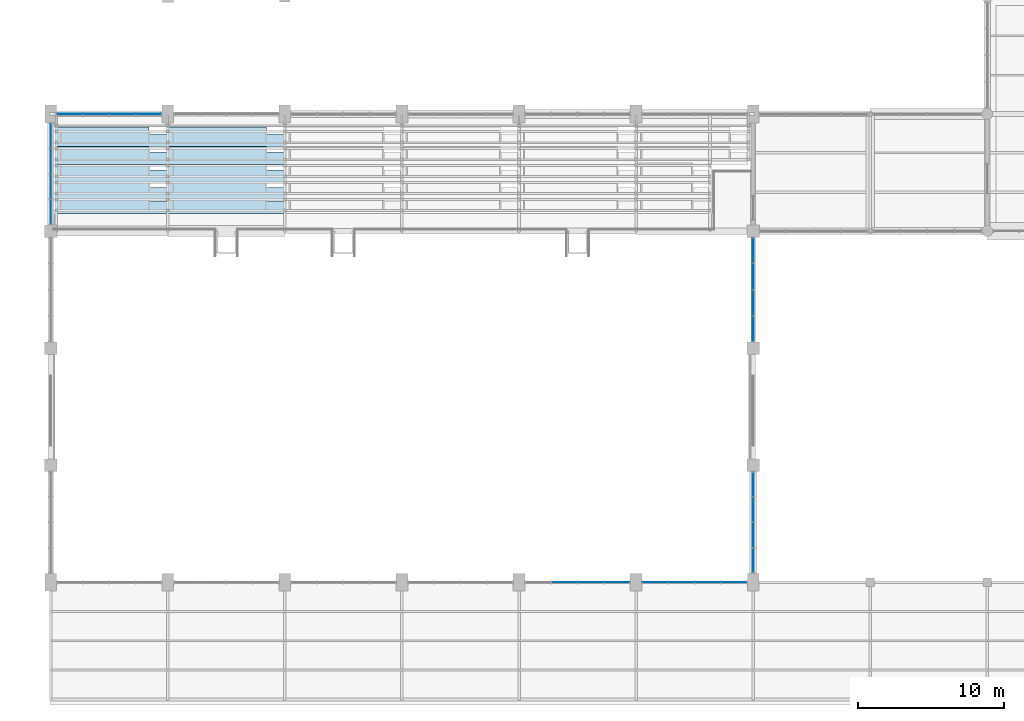
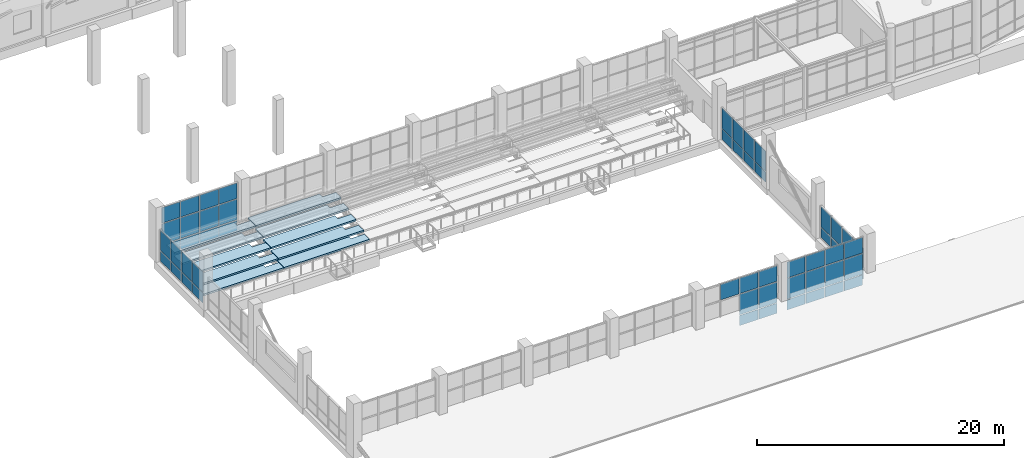
# One storey, part 71 of 122: 55 plates, 10 slabs, 6 elements without a shape of their own.
"""IFC4 building model written with IfcOpenShell, lengths in metres."""

from ifc_helpers import new_model, si_unit, direction, frame, origin, origin_2d, place, context, subcontext, project, spatial, polyline, rectangle, outline, extrude, material, layer, layer_set, type_object, element, aggregate, save


model = new_model("IFC4")

# Units and contexts
model_context = context("Model", 3, precision=1e-05, world=origin(), true_north=direction((0.0, 1.0)))
body_context = subcontext(model_context, "Body", "Model", "MODEL_VIEW")
ifc_project = project(units=[si_unit("LENGTHUNIT", "METRE"), si_unit("AREAUNIT", "SQUARE_METRE"), si_unit("VOLUMEUNIT", "CUBIC_METRE"), si_unit("PLANEANGLEUNIT", "RADIAN"), si_unit("MASSUNIT", "GRAM", prefix="KILO")], contexts=[model_context])

# Site, building, storey
site_placement = place(None, origin())
site = spatial("IfcSite", under=ifc_project, at=site_placement, CompositionType="ELEMENT")
building_placement = place(site_placement, origin())
building = spatial("IfcBuilding", under=site, at=building_placement, Name="Tenunan Teduh Sports Hall", CompositionType="ELEMENT")
storey_placement = place(building_placement, frame((0.0, 0.0, 5.39990234375)))
storey = spatial("IfcBuildingStorey", under=building, at=storey_placement, Name="L01", CompositionType="ELEMENT", Elevation=5.39990234375)

# Curtain wall, plates
ifc_material_1 = material(Name="Anodised aluminium", Category="aluminium")
curtain_wall_type = type_object("IfcCurtainWallType", Name="CW-UNIT-1", PredefinedType="NOTDEFINED", material=ifc_material_1)
curtain_wall_1_placement = place(storey_placement, origin())
curtain_wall_1 = element("IfcCurtainWall", 1, at=curtain_wall_1_placement, inside=storey, type_object=curtain_wall_type, Name="CW-CWM-200-L01-048", PredefinedType="NOTDEFINED")
ifc_material_2 = material(Name="Low-E laminated double glazing", Category="glass")
ifc_layer_1 = layer(ifc_material_2, 0.028076171875)
ifc_layer_set_1 = layer_set([ifc_layer_1], Name="Low-E laminated double glazing")
plate_type_1 = type_object("IfcPlateType", Name="CWP-GLZ-28", PredefinedType="CURTAIN_PANEL", material=ifc_layer_set_1)
plate_1_placement = place(storey_placement, frame((41.10009765625, 14.0, 3.235107421875), z_axis=(0.0, 0.0, 1.0), x_axis=(1.0, 0.0, 0.0)))
plate_1 = element("IfcPlate", 2, at=plate_1_placement, type_object=plate_type_1, Name="CW-01 panel 2.3", PredefinedType="CURTAIN_PANEL", context=body_context, shape_type="SweptSolid", body=[
    extrude(rectangle(XDim=1.72998046875, YDim=0.028076171875, at=origin_2d()), origin(), (0.0, 0.0, 1.0), 1.544921875),
])
plate_2_placement = place(storey_placement, frame((42.89990234375, 14.0, 1.13525390625), z_axis=(0.0, 0.0, 1.0), x_axis=(1.0, 0.0, 0.0)))
plate_2 = element("IfcPlate", 3, at=plate_2_placement, type_object=plate_type_1, Name="CW-01 panel 3.2", PredefinedType="CURTAIN_PANEL", context=body_context, shape_type="SweptSolid", body=[
    extrude(rectangle(XDim=1.72998046875, YDim=0.028076171875, at=origin_2d()), origin(), (0.0, 0.0, 1.0), 2.030029296875),
])
plate_3_placement = place(storey_placement, frame((42.89990234375, 14.0, 3.235107421875), z_axis=(0.0, 0.0, 1.0), x_axis=(1.0, 0.0, 0.0)))
plate_3 = element("IfcPlate", 4, at=plate_3_placement, type_object=plate_type_1, Name="CW-01 panel 3.3", PredefinedType="CURTAIN_PANEL", context=body_context, shape_type="SweptSolid", body=[
    extrude(rectangle(XDim=1.72998046875, YDim=0.028076171875, at=origin_2d()), origin(), (0.0, 0.0, 1.0), 1.544921875),
])
plate_4_placement = place(storey_placement, frame((44.6826171875, 14.0, 1.13525390625), z_axis=(0.0, 0.0, 1.0), x_axis=(1.0, 0.0, 0.0)))
plate_4 = element("IfcPlate", 5, at=plate_4_placement, type_object=plate_type_1, Name="CW-01 panel 4.2", PredefinedType="CURTAIN_PANEL", context=body_context, shape_type="SweptSolid", body=[
    extrude(rectangle(XDim=1.695068359375, YDim=0.028076171875, at=origin_2d()), origin(), (0.0, 0.0, 1.0), 2.030029296875),
])
plate_5_placement = place(storey_placement, frame((44.6826171875, 14.0, 3.235107421875), z_axis=(0.0, 0.0, 1.0), x_axis=(1.0, 0.0, 0.0)))
plate_5 = element("IfcPlate", 6, at=plate_5_placement, type_object=plate_type_1, Name="CW-01 panel 4.3", PredefinedType="CURTAIN_PANEL", context=body_context, shape_type="SweptSolid", body=[
    extrude(rectangle(XDim=1.695068359375, YDim=0.028076171875, at=origin_2d()), origin(), (0.0, 0.0, 1.0), 1.544921875),
])

curtain_wall_2_placement = place(storey_placement, origin())
curtain_wall_2 = element("IfcCurtainWall", 7, at=curtain_wall_2_placement, inside=storey, type_object=curtain_wall_type, Name="CW-CWM-175-L01-050", PredefinedType="NOTDEFINED")
plate_6_placement = place(storey_placement, frame((47.316162109375, 14.0, 1.1328125), z_axis=(0.0, 0.0, 1.0), x_axis=(1.0, 0.0, 0.0)))
plate_6 = element("IfcPlate", 8, at=plate_6_placement, type_object=plate_type_1, Name="CW-01 panel 1.2", PredefinedType="CURTAIN_PANEL", context=body_context, shape_type="SweptSolid", body=[
    extrude(rectangle(XDim=1.702392578125, YDim=0.028076171875, at=origin_2d()), origin(), (0.0, 0.0, 1.0), 2.034912109375),
])
plate_7_placement = place(storey_placement, frame((47.316162109375, 14.0, 3.232421875), z_axis=(0.0, 0.0, 1.0), x_axis=(1.0, 0.0, 0.0)))
plate_7 = element("IfcPlate", 9, at=plate_7_placement, type_object=plate_type_1, Name="CW-01 panel 1.3", PredefinedType="CURTAIN_PANEL", context=body_context, shape_type="SweptSolid", body=[
    extrude(rectangle(XDim=1.702392578125, YDim=0.028076171875, at=origin_2d()), origin(), (0.0, 0.0, 1.0), 1.552490234375),
])
plate_8_placement = place(storey_placement, frame((49.10009765625, 14.0, 1.1328125), z_axis=(0.0, 0.0, 1.0), x_axis=(1.0, 0.0, 0.0)))
plate_8 = element("IfcPlate", 10, at=plate_8_placement, type_object=plate_type_1, Name="CW-01 panel 2.2", PredefinedType="CURTAIN_PANEL", context=body_context, shape_type="SweptSolid", body=[
    extrude(rectangle(XDim=1.735107421875, YDim=0.028076171875, at=origin_2d()), origin(), (0.0, 0.0, 1.0), 2.034912109375),
])
plate_9_placement = place(storey_placement, frame((49.10009765625, 14.0, 3.232421875), z_axis=(0.0, 0.0, 1.0), x_axis=(1.0, 0.0, 0.0)))
plate_9 = element("IfcPlate", 11, at=plate_9_placement, type_object=plate_type_1, Name="CW-01 panel 2.3", PredefinedType="CURTAIN_PANEL", context=body_context, shape_type="SweptSolid", body=[
    extrude(rectangle(XDim=1.735107421875, YDim=0.028076171875, at=origin_2d()), origin(), (0.0, 0.0, 1.0), 1.552490234375),
])
plate_10_placement = place(storey_placement, frame((50.89990234375, 14.0, 1.1328125), z_axis=(0.0, 0.0, 1.0), x_axis=(1.0, 0.0, 0.0)))
plate_10 = element("IfcPlate", 12, at=plate_10_placement, type_object=plate_type_1, Name="CW-01 panel 3.2", PredefinedType="CURTAIN_PANEL", context=body_context, shape_type="SweptSolid", body=[
    extrude(rectangle(XDim=1.735107421875, YDim=0.028076171875, at=origin_2d()), origin(), (0.0, 0.0, 1.0), 2.034912109375),
])
plate_11_placement = place(storey_placement, frame((50.89990234375, 14.0, 3.232421875), z_axis=(0.0, 0.0, 1.0), x_axis=(1.0, 0.0, 0.0)))
plate_11 = element("IfcPlate", 13, at=plate_11_placement, type_object=plate_type_1, Name="CW-01 panel 3.3", PredefinedType="CURTAIN_PANEL", context=body_context, shape_type="SweptSolid", body=[
    extrude(rectangle(XDim=1.735107421875, YDim=0.028076171875, at=origin_2d()), origin(), (0.0, 0.0, 1.0), 1.552490234375),
])
plate_12_placement = place(storey_placement, frame((52.683837890625, 14.0, 1.1328125), z_axis=(0.0, 0.0, 1.0), x_axis=(1.0, 0.0, 0.0)))
plate_12 = element("IfcPlate", 14, at=plate_12_placement, type_object=plate_type_1, Name="CW-01 panel 4.2", PredefinedType="CURTAIN_PANEL", context=body_context, shape_type="SweptSolid", body=[
    extrude(rectangle(XDim=1.702392578125, YDim=0.028076171875, at=origin_2d()), origin(), (0.0, 0.0, 1.0), 2.034912109375),
])
plate_13_placement = place(storey_placement, frame((52.683837890625, 14.0, 3.232421875), z_axis=(0.0, 0.0, 1.0), x_axis=(1.0, 0.0, 0.0)))
plate_13 = element("IfcPlate", 15, at=plate_13_placement, type_object=plate_type_1, Name="CW-01 panel 4.3", PredefinedType="CURTAIN_PANEL", context=body_context, shape_type="SweptSolid", body=[
    extrude(rectangle(XDim=1.702392578125, YDim=0.028076171875, at=origin_2d()), origin(), (0.0, 0.0, 1.0), 1.552490234375),
])

curtain_wall_3_placement = place(storey_placement, origin())
curtain_wall_3 = element("IfcCurtainWall", 16, at=curtain_wall_3_placement, inside=storey, type_object=curtain_wall_type, Name="CW-CWM-200-L01-056", PredefinedType="NOTDEFINED")
plate_14_placement = place(storey_placement, frame((6.0, 39.314453125, 1.135009765625), z_axis=(0.0, 0.0, 1.0), x_axis=(0.0, 1.0, 0.0)))
plate_14 = element("IfcPlate", 17, at=plate_14_placement, type_object=plate_type_1, Name="CW-01 panel 1.2", PredefinedType="CURTAIN_PANEL", context=body_context, shape_type="SweptSolid", body=[
    extrude(rectangle(XDim=1.638671875, YDim=0.028076171875, at=origin_2d()), origin(), (0.0, 0.0, 1.0), 1.9951171875),
])
plate_15_placement = place(storey_placement, frame((6.0, 41.04052734375, 1.135009765625), z_axis=(0.0, 0.0, 1.0), x_axis=(0.0, 1.0, 0.0)))
plate_15 = element("IfcPlate", 18, at=plate_15_placement, type_object=plate_type_1, Name="CW-01 panel 2.2", PredefinedType="CURTAIN_PANEL", context=body_context, shape_type="SweptSolid", body=[
    extrude(rectangle(XDim=1.673828125, YDim=0.028076171875, at=origin_2d()), origin(), (0.0, 0.0, 1.0), 1.9951171875),
])
plate_16_placement = place(storey_placement, frame((6.0, 42.784423828125, 1.135009765625), z_axis=(0.0, 0.0, 1.0), x_axis=(0.0, 1.0, 0.0)))
plate_16 = element("IfcPlate", 19, at=plate_16_placement, type_object=plate_type_1, Name="CW-01 panel 3.2", PredefinedType="CURTAIN_PANEL", context=body_context, shape_type="SweptSolid", body=[
    extrude(rectangle(XDim=1.673828125, YDim=0.028076171875, at=origin_2d()), origin(), (0.0, 0.0, 1.0), 1.9951171875),
])
plate_17_placement = place(storey_placement, frame((6.0, 44.5107421875, 1.135009765625), z_axis=(0.0, 0.0, 1.0), x_axis=(0.0, 1.0, 0.0)))
plate_17 = element("IfcPlate", 20, at=plate_17_placement, type_object=plate_type_1, Name="CW-01 panel 4.2", PredefinedType="CURTAIN_PANEL", context=body_context, shape_type="SweptSolid", body=[
    extrude(rectangle(XDim=1.638671875, YDim=0.028076171875, at=origin_2d()), origin(), (0.0, 0.0, 1.0), 1.9951171875),
])

curtain_wall_4_placement = place(storey_placement, origin())
curtain_wall_4 = element("IfcCurtainWall", 21, at=curtain_wall_4_placement, inside=storey, type_object=curtain_wall_type, Name="CW-CWM-220-L01-041", PredefinedType="NOTDEFINED")
ifc_material_3 = material(Name="Solar-control laminated glazing", Category="glass")
ifc_layer_2 = layer(ifc_material_3, 0.031982421875)
ifc_layer_set_2 = layer_set([ifc_layer_2], Name="Solar-control laminated glazing")
plate_type_2 = type_object("IfcPlateType", Name="CWP-GLZ-32", PredefinedType="CURTAIN_PANEL", material=ifc_layer_set_2)
plate_18_placement = place(storey_placement, frame((7.31884765625, 46.0, 1.1376953125), z_axis=(0.0, 0.0, 1.0), x_axis=(1.0, 0.0, 0.0)))
plate_18 = element("IfcPlate", 22, at=plate_18_placement, type_object=plate_type_2, Name="CW-01 panel 1.2", PredefinedType="CURTAIN_PANEL", context=body_context, shape_type="SweptSolid", body=[
    extrude(rectangle(XDim=1.6875, YDim=0.031982421875, at=origin_2d()), origin(), (0.0, 0.0, 1.0), 2.02490234375),
])
plate_19_placement = place(storey_placement, frame((7.31884765625, 46.0, 3.237548828125), z_axis=(0.0, 0.0, 1.0), x_axis=(1.0, 0.0, 0.0)))
plate_19 = element("IfcPlate", 23, at=plate_19_placement, type_object=plate_type_2, Name="CW-01 panel 1.3", PredefinedType="CURTAIN_PANEL", context=body_context, shape_type="SweptSolid", body=[
    extrude(rectangle(XDim=1.6875, YDim=0.031982421875, at=origin_2d()), origin(), (0.0, 0.0, 1.0), 1.53759765625),
])
plate_20_placement = place(storey_placement, frame((9.10009765625, 46.0, 1.1376953125), z_axis=(0.0, 0.0, 1.0), x_axis=(1.0, 0.0, 0.0)))
plate_20 = element("IfcPlate", 24, at=plate_20_placement, type_object=plate_type_2, Name="CW-01 panel 2.2", PredefinedType="CURTAIN_PANEL", context=body_context, shape_type="SweptSolid", body=[
    extrude(rectangle(XDim=1.72509765625, YDim=0.031982421875, at=origin_2d()), origin(), (0.0, 0.0, 1.0), 2.02490234375),
])
plate_21_placement = place(storey_placement, frame((9.10009765625, 46.0, 3.237548828125), z_axis=(0.0, 0.0, 1.0), x_axis=(1.0, 0.0, 0.0)))
plate_21 = element("IfcPlate", 25, at=plate_21_placement, type_object=plate_type_2, Name="CW-01 panel 2.3", PredefinedType="CURTAIN_PANEL", context=body_context, shape_type="SweptSolid", body=[
    extrude(rectangle(XDim=1.72509765625, YDim=0.031982421875, at=origin_2d()), origin(), (0.0, 0.0, 1.0), 1.53759765625),
])
plate_22_placement = place(storey_placement, frame((10.89990234375, 46.0, 1.1376953125), z_axis=(0.0, 0.0, 1.0), x_axis=(1.0, 0.0, 0.0)))
plate_22 = element("IfcPlate", 26, at=plate_22_placement, type_object=plate_type_2, Name="CW-01 panel 3.2", PredefinedType="CURTAIN_PANEL", context=body_context, shape_type="SweptSolid", body=[
    extrude(rectangle(XDim=1.72509765625, YDim=0.031982421875, at=origin_2d()), origin(), (0.0, 0.0, 1.0), 2.02490234375),
])
plate_23_placement = place(storey_placement, frame((10.89990234375, 46.0, 3.237548828125), z_axis=(0.0, 0.0, 1.0), x_axis=(1.0, 0.0, 0.0)))
plate_23 = element("IfcPlate", 27, at=plate_23_placement, type_object=plate_type_2, Name="CW-01 panel 3.3", PredefinedType="CURTAIN_PANEL", context=body_context, shape_type="SweptSolid", body=[
    extrude(rectangle(XDim=1.72509765625, YDim=0.031982421875, at=origin_2d()), origin(), (0.0, 0.0, 1.0), 1.53759765625),
])
plate_24_placement = place(storey_placement, frame((12.68115234375, 46.0, 1.1376953125), z_axis=(0.0, 0.0, 1.0), x_axis=(1.0, 0.0, 0.0)))
plate_24 = element("IfcPlate", 28, at=plate_24_placement, type_object=plate_type_2, Name="CW-01 panel 4.2", PredefinedType="CURTAIN_PANEL", context=body_context, shape_type="SweptSolid", body=[
    extrude(rectangle(XDim=1.6875, YDim=0.031982421875, at=origin_2d()), origin(), (0.0, 0.0, 1.0), 2.02490234375),
])
plate_25_placement = place(storey_placement, frame((12.68115234375, 46.0, 3.237548828125), z_axis=(0.0, 0.0, 1.0), x_axis=(1.0, 0.0, 0.0)))
plate_25 = element("IfcPlate", 29, at=plate_25_placement, type_object=plate_type_2, Name="CW-01 panel 4.3", PredefinedType="CURTAIN_PANEL", context=body_context, shape_type="SweptSolid", body=[
    extrude(rectangle(XDim=1.6875, YDim=0.031982421875, at=origin_2d()), origin(), (0.0, 0.0, 1.0), 1.53759765625),
])

curtain_wall_5_placement = place(storey_placement, origin())
curtain_wall_5 = element("IfcCurtainWall", 30, at=curtain_wall_5_placement, inside=storey, type_object=curtain_wall_type, Name="CW-CWM-220-L01-053", PredefinedType="NOTDEFINED")
plate_26_placement = place(storey_placement, frame((54.0, 15.49072265625, 1.1376953125), z_axis=(0.0, 0.0, 1.0), x_axis=(0.0, 1.0, 0.0)))
plate_26 = element("IfcPlate", 31, at=plate_26_placement, type_object=plate_type_2, Name="CW-01 panel 1.2", PredefinedType="CURTAIN_PANEL", context=body_context, shape_type="SweptSolid", body=[
    extrude(rectangle(XDim=1.63134765625, YDim=0.031982421875, at=origin_2d()), origin(), (0.0, 0.0, 1.0), 1.987548828125),
])
plate_27_placement = place(storey_placement, frame((54.0, 17.215576171875, 1.1376953125), z_axis=(0.0, 0.0, 1.0), x_axis=(0.0, 1.0, 0.0)))
plate_27 = element("IfcPlate", 32, at=plate_27_placement, type_object=plate_type_2, Name="CW-01 panel 2.2", PredefinedType="CURTAIN_PANEL", context=body_context, shape_type="SweptSolid", body=[
    extrude(rectangle(XDim=1.668701171875, YDim=0.031982421875, at=origin_2d()), origin(), (0.0, 0.0, 1.0), 1.987548828125),
])
plate_28_placement = place(storey_placement, frame((54.0, 18.95947265625, 1.1376953125), z_axis=(0.0, 0.0, 1.0), x_axis=(0.0, 1.0, 0.0)))
plate_28 = element("IfcPlate", 33, at=plate_28_placement, type_object=plate_type_2, Name="CW-01 panel 3.2", PredefinedType="CURTAIN_PANEL", context=body_context, shape_type="SweptSolid", body=[
    extrude(rectangle(XDim=1.668701171875, YDim=0.031982421875, at=origin_2d()), origin(), (0.0, 0.0, 1.0), 1.987548828125),
])
plate_29_placement = place(storey_placement, frame((54.0, 20.684326171875, 1.1376953125), z_axis=(0.0, 0.0, 1.0), x_axis=(0.0, 1.0, 0.0)))
plate_29 = element("IfcPlate", 34, at=plate_29_placement, type_object=plate_type_2, Name="CW-01 panel 4.2", PredefinedType="CURTAIN_PANEL", context=body_context, shape_type="SweptSolid", body=[
    extrude(rectangle(XDim=1.63134765625, YDim=0.031982421875, at=origin_2d()), origin(), (0.0, 0.0, 1.0), 1.987548828125),
])

curtain_wall_6_placement = place(storey_placement, origin())
curtain_wall_6 = element("IfcCurtainWall", 35, at=curtain_wall_6_placement, inside=storey, type_object=curtain_wall_type, Name="CW-CWM-150-L01-055", PredefinedType="NOTDEFINED")
plate_30_placement = place(storey_placement, frame((54.0, 31.333740234375, 1.1298828125), z_axis=(0.0, 0.0, 1.0), x_axis=(0.0, 1.0, 0.0)))
plate_30 = element("IfcPlate", 36, at=plate_30_placement, type_object=plate_type_2, Name="CW-01 panel 1.2", PredefinedType="CURTAIN_PANEL", context=body_context, shape_type="SweptSolid", body=[
    extrude(rectangle(XDim=1.697509765625, YDim=0.031982421875, at=origin_2d()), origin(), (0.0, 0.0, 1.0), 2.010009765625),
])
plate_31_placement = place(storey_placement, frame((54.0, 33.106201171875, 1.1298828125), z_axis=(0.0, 0.0, 1.0), x_axis=(0.0, 1.0, 0.0)))
plate_31 = element("IfcPlate", 37, at=plate_31_placement, type_object=plate_type_2, Name="CW-01 panel 2.2", PredefinedType="CURTAIN_PANEL", context=body_context, shape_type="SweptSolid", body=[
    extrude(rectangle(XDim=1.7275390625, YDim=0.031982421875, at=origin_2d()), origin(), (0.0, 0.0, 1.0), 2.010009765625),
])
plate_32_placement = place(storey_placement, frame((54.0, 34.893798828125, 1.1298828125), z_axis=(0.0, 0.0, 1.0), x_axis=(0.0, 1.0, 0.0)))
plate_32 = element("IfcPlate", 38, at=plate_32_placement, type_object=plate_type_2, Name="CW-01 panel 3.2", PredefinedType="CURTAIN_PANEL", context=body_context, shape_type="SweptSolid", body=[
    extrude(rectangle(XDim=1.7275390625, YDim=0.031982421875, at=origin_2d()), origin(), (0.0, 0.0, 1.0), 2.010009765625),
])
plate_33_placement = place(storey_placement, frame((54.0, 36.666259765625, 1.1298828125), z_axis=(0.0, 0.0, 1.0), x_axis=(0.0, 1.0, 0.0)))
plate_33 = element("IfcPlate", 39, at=plate_33_placement, type_object=plate_type_2, Name="CW-01 panel 4.2", PredefinedType="CURTAIN_PANEL", context=body_context, shape_type="SweptSolid", body=[
    extrude(rectangle(XDim=1.697509765625, YDim=0.031982421875, at=origin_2d()), origin(), (0.0, 0.0, 1.0), 2.010009765625),
])

# Plate
ifc_material_4 = material(Name="Insulated aluminium spandrel panel", Category="aluminium")
ifc_layer_3 = layer(ifc_material_4, 0.044921875)
ifc_layer_set_3 = layer_set([ifc_layer_3], Name="Insulated aluminium spandrel panel")
plate_type_3 = type_object("IfcPlateType", Name="CWP-SPN-45", PredefinedType="CURTAIN_PANEL", material=ifc_layer_set_3)
plate_34_placement = place(storey_placement, frame((7.31884765625, 46.0, 0.0751953125), z_axis=(0.0, 0.0, 1.0), x_axis=(1.0, 0.0, 0.0)))
plate_34 = element("IfcPlate", 40, at=plate_34_placement, type_object=plate_type_3, Name="CW-01 panel 1.1", PredefinedType="CURTAIN_PANEL", context=body_context, shape_type="SweptSolid", body=[
    extrude(rectangle(XDim=1.6875, YDim=0.031982421875, at=origin_2d()), origin(), (0.0, 0.0, 1.0), 0.987548828125),
])

plate_35_placement = place(storey_placement, frame((9.10009765625, 46.0, 0.0751953125), z_axis=(0.0, 0.0, 1.0), x_axis=(1.0, 0.0, 0.0)))
plate_35 = element("IfcPlate", 41, at=plate_35_placement, type_object=plate_type_3, Name="CW-01 panel 2.1", PredefinedType="CURTAIN_PANEL", context=body_context, shape_type="SweptSolid", body=[
    extrude(rectangle(XDim=1.72509765625, YDim=0.031982421875, at=origin_2d()), origin(), (0.0, 0.0, 1.0), 0.987548828125),
])

plate_36_placement = place(storey_placement, frame((10.89990234375, 46.0, 0.0751953125), z_axis=(0.0, 0.0, 1.0), x_axis=(1.0, 0.0, 0.0)))
plate_36 = element("IfcPlate", 42, at=plate_36_placement, type_object=plate_type_3, Name="CW-01 panel 3.1", PredefinedType="CURTAIN_PANEL", context=body_context, shape_type="SweptSolid", body=[
    extrude(rectangle(XDim=1.72509765625, YDim=0.031982421875, at=origin_2d()), origin(), (0.0, 0.0, 1.0), 0.987548828125),
])

plate_37_placement = place(storey_placement, frame((12.68115234375, 46.0, 0.0751953125), z_axis=(0.0, 0.0, 1.0), x_axis=(1.0, 0.0, 0.0)))
plate_37 = element("IfcPlate", 43, at=plate_37_placement, type_object=plate_type_3, Name="CW-01 panel 4.1", PredefinedType="CURTAIN_PANEL", context=body_context, shape_type="SweptSolid", body=[
    extrude(rectangle(XDim=1.6875, YDim=0.031982421875, at=origin_2d()), origin(), (0.0, 0.0, 1.0), 0.987548828125),
])

aggregate(curtain_wall_4, [plate_34, plate_18, plate_19, plate_35, plate_20, plate_21, plate_36, plate_22, plate_23, plate_37, plate_24, plate_25])

plate_38_placement = place(storey_placement, frame((42.89990234375, 14.0, 0.070068359375), z_axis=(0.0, 0.0, 1.0), x_axis=(1.0, 0.0, 0.0)))
plate_38 = element("IfcPlate", 44, at=plate_38_placement, type_object=plate_type_3, Name="CW-01 panel 3.1", PredefinedType="CURTAIN_PANEL", context=body_context, shape_type="SweptSolid", body=[
    extrude(rectangle(XDim=1.72998046875, YDim=0.028076171875, at=origin_2d()), origin(), (0.0, 0.0, 1.0), 0.9951171875),
])

plate_39_placement = place(storey_placement, frame((44.6826171875, 14.0, 0.070068359375), z_axis=(0.0, 0.0, 1.0), x_axis=(1.0, 0.0, 0.0)))
plate_39 = element("IfcPlate", 45, at=plate_39_placement, type_object=plate_type_3, Name="CW-01 panel 4.1", PredefinedType="CURTAIN_PANEL", context=body_context, shape_type="SweptSolid", body=[
    extrude(rectangle(XDim=1.695068359375, YDim=0.028076171875, at=origin_2d()), origin(), (0.0, 0.0, 1.0), 0.9951171875),
])

aggregate(curtain_wall_1, [plate_1, plate_38, plate_2, plate_3, plate_39, plate_4, plate_5])

plate_40_placement = place(storey_placement, frame((47.316162109375, 14.0, 0.065185546875), z_axis=(0.0, 0.0, 1.0), x_axis=(1.0, 0.0, 0.0)))
plate_40 = element("IfcPlate", 46, at=plate_40_placement, type_object=plate_type_3, Name="CW-01 panel 1.1", PredefinedType="CURTAIN_PANEL", context=body_context, shape_type="SweptSolid", body=[
    extrude(rectangle(XDim=1.702392578125, YDim=0.028076171875, at=origin_2d()), origin(), (0.0, 0.0, 1.0), 1.00244140625),
])

plate_41_placement = place(storey_placement, frame((49.10009765625, 14.0, 0.065185546875), z_axis=(0.0, 0.0, 1.0), x_axis=(1.0, 0.0, 0.0)))
plate_41 = element("IfcPlate", 47, at=plate_41_placement, type_object=plate_type_3, Name="CW-01 panel 2.1", PredefinedType="CURTAIN_PANEL", context=body_context, shape_type="SweptSolid", body=[
    extrude(rectangle(XDim=1.735107421875, YDim=0.028076171875, at=origin_2d()), origin(), (0.0, 0.0, 1.0), 1.00244140625),
])

plate_42_placement = place(storey_placement, frame((50.89990234375, 14.0, 0.065185546875), z_axis=(0.0, 0.0, 1.0), x_axis=(1.0, 0.0, 0.0)))
plate_42 = element("IfcPlate", 48, at=plate_42_placement, type_object=plate_type_3, Name="CW-01 panel 3.1", PredefinedType="CURTAIN_PANEL", context=body_context, shape_type="SweptSolid", body=[
    extrude(rectangle(XDim=1.735107421875, YDim=0.028076171875, at=origin_2d()), origin(), (0.0, 0.0, 1.0), 1.00244140625),
])

plate_43_placement = place(storey_placement, frame((52.683837890625, 14.0, 0.065185546875), z_axis=(0.0, 0.0, 1.0), x_axis=(1.0, 0.0, 0.0)))
plate_43 = element("IfcPlate", 49, at=plate_43_placement, type_object=plate_type_3, Name="CW-01 panel 4.1", PredefinedType="CURTAIN_PANEL", context=body_context, shape_type="SweptSolid", body=[
    extrude(rectangle(XDim=1.702392578125, YDim=0.028076171875, at=origin_2d()), origin(), (0.0, 0.0, 1.0), 1.00244140625),
])

aggregate(curtain_wall_2, [plate_40, plate_6, plate_7, plate_41, plate_8, plate_9, plate_42, plate_10, plate_11, plate_43, plate_12, plate_13])

plate_44_placement = place(storey_placement, frame((54.0, 15.49072265625, 0.0751953125), z_axis=(0.0, 0.0, 1.0), x_axis=(0.0, 1.0, 0.0)))
plate_44 = element("IfcPlate", 50, at=plate_44_placement, type_object=plate_type_3, Name="CW-01 panel 1.1", PredefinedType="CURTAIN_PANEL", context=body_context, shape_type="SweptSolid", body=[
    extrude(rectangle(XDim=1.63134765625, YDim=0.031982421875, at=origin_2d()), origin(), (0.0, 0.0, 1.0), 0.987548828125),
])

plate_45_placement = place(storey_placement, frame((54.0, 17.215576171875, 0.0751953125), z_axis=(0.0, 0.0, 1.0), x_axis=(0.0, 1.0, 0.0)))
plate_45 = element("IfcPlate", 51, at=plate_45_placement, type_object=plate_type_3, Name="CW-01 panel 2.1", PredefinedType="CURTAIN_PANEL", context=body_context, shape_type="SweptSolid", body=[
    extrude(rectangle(XDim=1.668701171875, YDim=0.031982421875, at=origin_2d()), origin(), (0.0, 0.0, 1.0), 0.987548828125),
])

plate_46_placement = place(storey_placement, frame((54.0, 18.95947265625, 0.0751953125), z_axis=(0.0, 0.0, 1.0), x_axis=(0.0, 1.0, 0.0)))
plate_46 = element("IfcPlate", 52, at=plate_46_placement, type_object=plate_type_3, Name="CW-01 panel 3.1", PredefinedType="CURTAIN_PANEL", context=body_context, shape_type="SweptSolid", body=[
    extrude(rectangle(XDim=1.668701171875, YDim=0.031982421875, at=origin_2d()), origin(), (0.0, 0.0, 1.0), 0.987548828125),
])

plate_47_placement = place(storey_placement, frame((54.0, 20.684326171875, 0.0751953125), z_axis=(0.0, 0.0, 1.0), x_axis=(0.0, 1.0, 0.0)))
plate_47 = element("IfcPlate", 53, at=plate_47_placement, type_object=plate_type_3, Name="CW-01 panel 4.1", PredefinedType="CURTAIN_PANEL", context=body_context, shape_type="SweptSolid", body=[
    extrude(rectangle(XDim=1.63134765625, YDim=0.031982421875, at=origin_2d()), origin(), (0.0, 0.0, 1.0), 0.987548828125),
])

aggregate(curtain_wall_5, [plate_44, plate_26, plate_45, plate_27, plate_46, plate_28, plate_47, plate_29])

plate_48_placement = place(storey_placement, frame((54.0, 31.333740234375, 0.06005859375), z_axis=(0.0, 0.0, 1.0), x_axis=(0.0, 1.0, 0.0)))
plate_48 = element("IfcPlate", 54, at=plate_48_placement, type_object=plate_type_3, Name="CW-01 panel 1.1", PredefinedType="CURTAIN_PANEL", context=body_context, shape_type="SweptSolid", body=[
    extrude(rectangle(XDim=1.697509765625, YDim=0.031982421875, at=origin_2d()), origin(), (0.0, 0.0, 1.0), 1.010009765625),
])

plate_49_placement = place(storey_placement, frame((54.0, 33.106201171875, 0.06005859375), z_axis=(0.0, 0.0, 1.0), x_axis=(0.0, 1.0, 0.0)))
plate_49 = element("IfcPlate", 55, at=plate_49_placement, type_object=plate_type_3, Name="CW-01 panel 2.1", PredefinedType="CURTAIN_PANEL", context=body_context, shape_type="SweptSolid", body=[
    extrude(rectangle(XDim=1.7275390625, YDim=0.031982421875, at=origin_2d()), origin(), (0.0, 0.0, 1.0), 1.010009765625),
])

plate_50_placement = place(storey_placement, frame((54.0, 34.893798828125, 0.06005859375), z_axis=(0.0, 0.0, 1.0), x_axis=(0.0, 1.0, 0.0)))
plate_50 = element("IfcPlate", 56, at=plate_50_placement, type_object=plate_type_3, Name="CW-01 panel 3.1", PredefinedType="CURTAIN_PANEL", context=body_context, shape_type="SweptSolid", body=[
    extrude(rectangle(XDim=1.7275390625, YDim=0.031982421875, at=origin_2d()), origin(), (0.0, 0.0, 1.0), 1.010009765625),
])

plate_51_placement = place(storey_placement, frame((54.0, 36.666259765625, 0.06005859375), z_axis=(0.0, 0.0, 1.0), x_axis=(0.0, 1.0, 0.0)))
plate_51 = element("IfcPlate", 57, at=plate_51_placement, type_object=plate_type_3, Name="CW-01 panel 4.1", PredefinedType="CURTAIN_PANEL", context=body_context, shape_type="SweptSolid", body=[
    extrude(rectangle(XDim=1.697509765625, YDim=0.031982421875, at=origin_2d()), origin(), (0.0, 0.0, 1.0), 1.010009765625),
])

aggregate(curtain_wall_6, [plate_48, plate_30, plate_49, plate_31, plate_50, plate_32, plate_51, plate_33])

plate_52_placement = place(storey_placement, frame((6.0, 39.314453125, 0.070068359375), z_axis=(0.0, 0.0, 1.0), x_axis=(0.0, 1.0, 0.0)))
plate_52 = element("IfcPlate", 58, at=plate_52_placement, type_object=plate_type_3, Name="CW-01 panel 1.1", PredefinedType="CURTAIN_PANEL", context=body_context, shape_type="SweptSolid", body=[
    extrude(rectangle(XDim=1.638671875, YDim=0.028076171875, at=origin_2d()), origin(), (0.0, 0.0, 1.0), 0.9951171875),
])

plate_53_placement = place(storey_placement, frame((6.0, 41.04052734375, 0.070068359375), z_axis=(0.0, 0.0, 1.0), x_axis=(0.0, 1.0, 0.0)))
plate_53 = element("IfcPlate", 59, at=plate_53_placement, type_object=plate_type_3, Name="CW-01 panel 2.1", PredefinedType="CURTAIN_PANEL", context=body_context, shape_type="SweptSolid", body=[
    extrude(rectangle(XDim=1.673828125, YDim=0.028076171875, at=origin_2d()), origin(), (0.0, 0.0, 1.0), 0.9951171875),
])

plate_54_placement = place(storey_placement, frame((6.0, 42.784423828125, 0.070068359375), z_axis=(0.0, 0.0, 1.0), x_axis=(0.0, 1.0, 0.0)))
plate_54 = element("IfcPlate", 60, at=plate_54_placement, type_object=plate_type_3, Name="CW-01 panel 3.1", PredefinedType="CURTAIN_PANEL", context=body_context, shape_type="SweptSolid", body=[
    extrude(rectangle(XDim=1.673828125, YDim=0.028076171875, at=origin_2d()), origin(), (0.0, 0.0, 1.0), 0.9951171875),
])

plate_55_placement = place(storey_placement, frame((6.0, 44.5107421875, 0.070068359375), z_axis=(0.0, 0.0, 1.0), x_axis=(0.0, 1.0, 0.0)))
plate_55 = element("IfcPlate", 61, at=plate_55_placement, type_object=plate_type_3, Name="CW-01 panel 4.1", PredefinedType="CURTAIN_PANEL", context=body_context, shape_type="SweptSolid", body=[
    extrude(rectangle(XDim=1.638671875, YDim=0.028076171875, at=origin_2d()), origin(), (0.0, 0.0, 1.0), 0.9951171875),
])

aggregate(curtain_wall_3, [plate_52, plate_14, plate_53, plate_15, plate_54, plate_16, plate_55, plate_17])

# Slabs
ifc_material_5 = material(Name="Precast concrete C40/50", Category="concrete")
ifc_layer_4 = layer(ifc_material_5, 0.155029296875)
ifc_layer_set_4 = layer_set([ifc_layer_4], Name="Precast concrete C40/50")
slab_type_1 = type_object("IfcSlabType", Name="SLB-TIER-155", PredefinedType="USERDEFINED", material=ifc_layer_set_4)
slab_1_placement = place(storey_placement, frame((0.0, 0.0, 0.525146484375)))
element("IfcSlab", 62, at=slab_1_placement, inside=storey, type_object=slab_type_1, Name="SL-TIER-V2-L01-1-2", ObjectType="SEATING TIER", PredefinedType="USERDEFINED", context=body_context, shape_type="SweptSolid", body=[
    extrude(outline(polyline([(6.39990234375, 40.1201171875), (13.97998046875, 40.1201171875), (13.97998046875, 40.9599609375), (12.72998046875, 40.9599609375), (12.72998046875, 41.43994140625), (6.39990234375, 41.43994140625), (6.39990234375, 40.1201171875)])), origin(), (0.0, 0.0, 1.0), 0.155029296875),
])
slab_2_placement = place(storey_placement, frame((0.0, 0.0, 1.205078125)))
element("IfcSlab", 63, at=slab_2_placement, inside=storey, type_object=slab_type_1, Name="SL-TIER-V2-L01-1-4", ObjectType="SEATING TIER", PredefinedType="USERDEFINED", context=body_context, shape_type="SweptSolid", body=[
    extrude(outline(polyline([(6.39990234375, 42.56005859375), (13.97998046875, 42.56005859375), (13.97998046875, 43.39990234375), (12.72998046875, 43.39990234375), (12.72998046875, 43.8798828125), (6.39990234375, 43.8798828125), (6.39990234375, 42.56005859375)])), origin(), (0.0, 0.0, 1.0), 0.155029296875),
])
slab_3_placement = place(storey_placement, frame((0.0, 0.0, 0.525146484375)))
element("IfcSlab", 64, at=slab_3_placement, inside=storey, type_object=slab_type_1, Name="SL-TIER-V2-L01-2-2", ObjectType="SEATING TIER", PredefinedType="USERDEFINED", context=body_context, shape_type="SweptSolid", body=[
    extrude(outline(polyline([(14.02001953125, 40.1201171875), (21.97998046875, 40.1201171875), (21.97998046875, 40.9599609375), (20.72998046875, 40.9599609375), (20.72998046875, 41.43994140625), (14.02001953125, 41.43994140625), (14.02001953125, 40.1201171875)])), origin(), (0.0, 0.0, 1.0), 0.155029296875),
])
slab_4_placement = place(storey_placement, frame((0.0, 0.0, 1.205078125)))
element("IfcSlab", 65, at=slab_4_placement, inside=storey, type_object=slab_type_1, Name="SL-TIER-V2-L01-2-4", ObjectType="SEATING TIER", PredefinedType="USERDEFINED", context=body_context, shape_type="SweptSolid", body=[
    extrude(outline(polyline([(14.02001953125, 42.56005859375), (21.97998046875, 42.56005859375), (21.97998046875, 43.39990234375), (20.72998046875, 43.39990234375), (20.72998046875, 43.8798828125), (14.02001953125, 43.8798828125), (14.02001953125, 42.56005859375)])), origin(), (0.0, 0.0, 1.0), 0.155029296875),
])
ifc_material_6 = material(Name="Precast concrete C40/50", Category="concrete")
ifc_layer_5 = layer(ifc_material_6, 0.169921875)
ifc_layer_set_5 = layer_set([ifc_layer_5], Name="Precast concrete C40/50")
slab_type_2 = type_object("IfcSlabType", Name="SLB-TIER-170", PredefinedType="USERDEFINED", material=ifc_layer_set_5)
slab_5_placement = place(storey_placement, frame((0.0, 0.0, 0.170166015625)))
element("IfcSlab", 66, at=slab_5_placement, inside=storey, type_object=slab_type_2, Name="SL-TIER-V2-L01-1-1", ObjectType="SEATING TIER", PredefinedType="USERDEFINED", context=body_context, shape_type="SweptSolid", body=[
    extrude(outline(polyline([(6.39990234375, 39.199951171875), (13.97998046875, 39.199951171875), (13.97998046875, 40.0400390625), (12.72998046875, 40.0400390625), (12.72998046875, 40.52001953125), (6.39990234375, 40.52001953125), (6.39990234375, 39.199951171875)])), origin(), (0.0, 0.0, 1.0), 0.169921875),
])
slab_6_placement = place(storey_placement, frame((0.0, 0.0, 0.85009765625)))
element("IfcSlab", 67, at=slab_6_placement, inside=storey, type_object=slab_type_2, Name="SL-TIER-V2-L01-1-3", ObjectType="SEATING TIER", PredefinedType="USERDEFINED", context=body_context, shape_type="SweptSolid", body=[
    extrude(outline(polyline([(6.39990234375, 41.340087890625), (13.97998046875, 41.340087890625), (13.97998046875, 42.179931640625), (12.72998046875, 42.179931640625), (12.72998046875, 42.659912109375), (6.39990234375, 42.659912109375), (6.39990234375, 41.340087890625)])), origin(), (0.0, 0.0, 1.0), 0.169921875),
])
slab_7_placement = place(storey_placement, frame((0.0, 0.0, 1.530029296875)))
element("IfcSlab", 68, at=slab_7_placement, inside=storey, type_object=slab_type_2, Name="SL-TIER-V2-L01-1-5", ObjectType="SEATING TIER", PredefinedType="USERDEFINED", context=body_context, shape_type="SweptSolid", body=[
    extrude(outline(polyline([(6.39990234375, 43.780029296875), (13.97998046875, 43.780029296875), (13.97998046875, 44.6201171875), (12.72998046875, 44.6201171875), (12.72998046875, 45.10009765625), (6.39990234375, 45.10009765625), (6.39990234375, 43.780029296875)])), origin(), (0.0, 0.0, 1.0), 0.170166015625),
])
slab_8_placement = place(storey_placement, frame((0.0, 0.0, 0.170166015625)))
element("IfcSlab", 69, at=slab_8_placement, inside=storey, type_object=slab_type_2, Name="SL-TIER-V2-L01-2-1", ObjectType="SEATING TIER", PredefinedType="USERDEFINED", context=body_context, shape_type="SweptSolid", body=[
    extrude(outline(polyline([(14.02001953125, 39.199951171875), (21.97998046875, 39.199951171875), (21.97998046875, 40.0400390625), (20.72998046875, 40.0400390625), (20.72998046875, 40.52001953125), (14.02001953125, 40.52001953125), (14.02001953125, 39.199951171875)])), origin(), (0.0, 0.0, 1.0), 0.169921875),
])
slab_9_placement = place(storey_placement, frame((0.0, 0.0, 0.85009765625)))
element("IfcSlab", 70, at=slab_9_placement, inside=storey, type_object=slab_type_2, Name="SL-TIER-V2-L01-2-3", ObjectType="SEATING TIER", PredefinedType="USERDEFINED", context=body_context, shape_type="SweptSolid", body=[
    extrude(outline(polyline([(14.02001953125, 41.340087890625), (21.97998046875, 41.340087890625), (21.97998046875, 42.179931640625), (20.72998046875, 42.179931640625), (20.72998046875, 42.659912109375), (14.02001953125, 42.659912109375), (14.02001953125, 41.340087890625)])), origin(), (0.0, 0.0, 1.0), 0.169921875),
])
slab_10_placement = place(storey_placement, frame((0.0, 0.0, 1.530029296875)))
element("IfcSlab", 71, at=slab_10_placement, inside=storey, type_object=slab_type_2, Name="SL-TIER-V2-L01-2-5", ObjectType="SEATING TIER", PredefinedType="USERDEFINED", context=body_context, shape_type="SweptSolid", body=[
    extrude(outline(polyline([(14.02001953125, 43.780029296875), (21.97998046875, 43.780029296875), (21.97998046875, 44.6201171875), (20.72998046875, 44.6201171875), (20.72998046875, 45.10009765625), (14.02001953125, 45.10009765625), (14.02001953125, 43.780029296875)])), origin(), (0.0, 0.0, 1.0), 0.170166015625),
])

save(model, "model.ifc")
